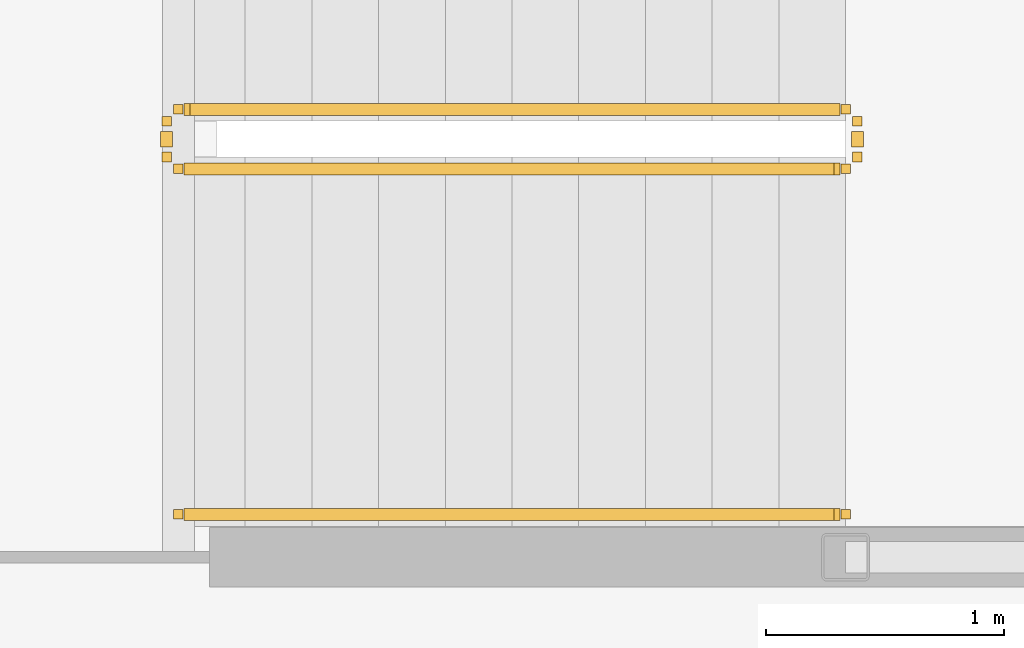
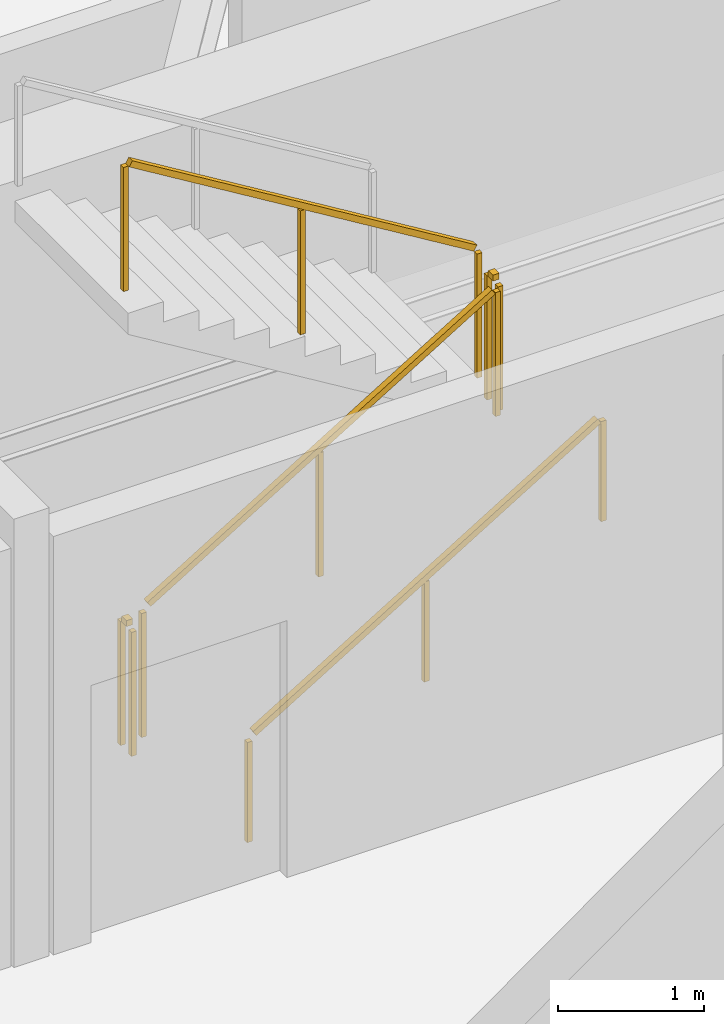
# One storey, part 20 of 21: 5 railings.
"""IFC4 building model written with IfcOpenShell, lengths in metres."""

import ifcopenshell
import ifcopenshell.guid

model = None  # the IFC model being written
_history = None  # IfcOwnerHistory: only IFC2X3 demands one
_inside = {}  # id of a spatial element -> (the spatial element, [elements in it])
_under = {}  # id of a project, library or spatial element -> (it, [spatial elements below it])
_declared = {}  # id of a project -> (the project, [libraries it declares])
_typed = {}  # id of a type object -> (the type object, [elements of that type])
_made_of = {}  # id of a material, layer set ... -> (it, [elements and type objects made of it])


def new_model(schema):
    """Start an empty IFC model of exactly this schema.

    Asked for "IFC4X3", IfcOpenShell would pick the latest addendum, in which some entities
    have other attributes; the version numbers below select the first issue.
    IFC2X3 requires an IfcOwnerHistory on every rooted entity: one is made here for all.
    """
    global model, _history
    if schema == "IFC4X3":
        model = ifcopenshell.file(schema_version=(4, 3, 0, 0))
    else:
        model = ifcopenshell.file(schema=schema)
    _inside.clear()
    _under.clear()
    _declared.clear()
    _typed.clear()
    _made_of.clear()
    _history = None
    if model.schema == "IFC2X3":
        org = make("IfcOrganization", Name="unknown")
        user = make(
            "IfcPersonAndOrganization",
            ThePerson=make("IfcPerson", FamilyName="unknown"),
            TheOrganization=org,
        )
        app = make(
            "IfcApplication",
            ApplicationDeveloper=org,
            Version="unknown",
            ApplicationFullName="unknown",
            ApplicationIdentifier="unknown",
        )
        _history = make(
            "IfcOwnerHistory",
            OwningUser=user,
            OwningApplication=app,
            ChangeAction="ADDED",
            CreationDate=0,
        )
    return model


def make(cls, **values):
    """One entity of the class cls with the attributes given. An attribute that is None is left unset."""
    return model.create_entity(
        cls, **{name: value for name, value in values.items() if value is not None}
    )


def rooted(cls, **values):
    """An entity with a GlobalId (a new one), such as an element, a storey or a relation."""
    return make(cls, GlobalId=ifcopenshell.guid.new(), OwnerHistory=_history, **values)


def si_unit(unit_type, name, prefix=None):
    """IfcSIUnit, for example si_unit("LENGTHUNIT", "METRE", prefix="MILLI")."""
    return make("IfcSIUnit", UnitType=unit_type, Prefix=prefix, Name=name)


def assignment(units):
    """IfcUnitAssignment: the units of a project."""
    return None if units is None else make("IfcUnitAssignment", Units=units)


def point(xyz):
    """IfcCartesianPoint."""
    return None if xyz is None else make("IfcCartesianPoint", Coordinates=xyz)


def direction(xyz):
    """IfcDirection."""
    return None if xyz is None else make("IfcDirection", DirectionRatios=xyz)


def frame(location, z_axis=None, x_axis=None):
    """IfcAxis2Placement3D, a coordinate frame: its origin and axes. An axis left out is left unset."""
    return make(
        "IfcAxis2Placement3D",
        Location=point(location),
        Axis=direction(z_axis),
        RefDirection=direction(x_axis),
    )


def frame_2d(location, x_axis=None):
    """IfcAxis2Placement2D, a coordinate frame in the plane: its origin and x axis."""
    return make(
        "IfcAxis2Placement2D", Location=point(location), RefDirection=direction(x_axis)
    )


def origin():
    """The frame at (0, 0, 0) with its axes left unset."""
    return frame((0.0, 0.0, 0.0))


def origin_2d():
    """The frame at (0, 0) in the plane with its x axis left unset."""
    return frame_2d((0.0, 0.0))


def place(relative_to, where):
    """IfcLocalPlacement: puts the frame where relative to a parent placement (None: the world)."""
    return make(
        "IfcLocalPlacement", PlacementRelTo=relative_to, RelativePlacement=where
    )


def context(
    kind, dimensions, precision=None, world=None, true_north=None, identifier=None
):
    """IfcGeometricRepresentationContext, for example the 3D "Model" context."""
    return make(
        "IfcGeometricRepresentationContext",
        ContextIdentifier=identifier,
        ContextType=kind,
        CoordinateSpaceDimension=dimensions,
        Precision=precision,
        WorldCoordinateSystem=world,
        TrueNorth=true_north,
    )


def subcontext(parent, identifier, kind, view, scale=None):
    """IfcGeometricRepresentationSubContext, for example "Body" below "Model"."""
    return make(
        "IfcGeometricRepresentationSubContext",
        ContextIdentifier=identifier,
        ContextType=kind,
        ParentContext=parent,
        TargetScale=scale,
        TargetView=view,
    )


def project(units=None, contexts=None):
    """IfcProject with its units and contexts."""
    return rooted(
        "IfcProject",
        Name="project",
        RepresentationContexts=contexts,
        UnitsInContext=assignment(units),
    )


def spatial(cls, under=None, at=None, **own):
    """A site, building, storey or space (cls), placed at a placement, below another one or the project."""
    s = rooted(cls, ObjectPlacement=at, **own)
    if under is not None:
        _under.setdefault(under.id(), (under, []))[1].append(s)
    return s


def profile(cls, at=None, kind="AREA", **sizes):
    """A parametric profile (cls). Its sizes go by their IFC names, for example OverallWidth=200.0."""
    return make(cls, ProfileType=kind, Position=at, **sizes)


def rectangle(**sizes):
    """IfcRectangleProfileDef."""
    return profile("IfcRectangleProfileDef", **sizes)


def extrude(swept, where, along, depth):
    """IfcExtrudedAreaSolid: the profile swept, set in the frame where, extruded along a direction by depth."""
    return make(
        "IfcExtrudedAreaSolid",
        SweptArea=swept,
        Position=where,
        ExtrudedDirection=direction(along),
        Depth=depth,
    )


def shape(context_of_items, identifier, shape_type, items):
    """IfcShapeRepresentation: the items that make up one representation, for example the "Body"."""
    return make(
        "IfcShapeRepresentation",
        ContextOfItems=context_of_items,
        RepresentationIdentifier=identifier,
        RepresentationType=shape_type,
        Items=items,
    )


def material(Name=None, Category=None):
    """IfcMaterial."""
    return make("IfcMaterial", Name=Name, Category=Category)


def made_of(thing, what):
    """Note that an element or type object is made of a material, layer set ...; save() writes the relation."""
    if what is not None:
        _made_of.setdefault(what.id(), (what, []))[1].append(thing)
    return thing


def type_object(cls, material=None, **own):
    """A type object (cls), such as IfcWallType, which elements share."""
    return made_of(rooted(cls, **own), material)


def element(
    cls,
    number,
    at=None,
    inside=None,
    cuts=None,
    type_object=None,
    material=None,
    context=None,
    identifier="Body",
    shape_type=None,
    held_by="IfcProductDefinitionShape",
    body=None,
    shapes=None,
    **own,
):
    """One element of the class cls, such as IfcWall. Its Tag is "e" and its number.

    at: its placement. inside: the storey or other place that contains it. cuts: it is an
    opening in that element (IfcRelVoidsElement). A single representation is given by context,
    identifier, shape_type and body (its items); several are given by shapes. held_by: the class
    of the entity that holds the representations. save() writes the other relations.
    """
    e = rooted(cls, Tag="e%d" % number, ObjectPlacement=at, **own)
    if body is not None:
        shapes = [shape(context, identifier, shape_type, body)]
    if shapes is not None:
        e.Representation = make(held_by, Representations=shapes)
    if inside is not None:
        _inside.setdefault(inside.id(), (inside, []))[1].append(e)
    if cuts is not None:
        rooted(
            "IfcRelVoidsElement", RelatingBuildingElement=cuts, RelatedOpeningElement=e
        )
    if type_object is not None:
        _typed.setdefault(type_object.id(), (type_object, []))[1].append(e)
    return made_of(e, material)


def aggregate(whole, parts):
    """IfcRelAggregates: a whole, such as a stair, and the parts it consists of."""
    return rooted("IfcRelAggregates", RelatingObject=whole, RelatedObjects=parts)


def save(model, path):
    """Write the relations noted so far, then the file.

    IfcRelAggregates (storeys below a building ...), IfcRelContainedInSpatialStructure (elements
    in a storey), IfcRelDefinesByType, IfcRelAssociatesMaterial and IfcRelDeclares: one each for
    every whole, place, type object, material and project.
    """
    for whole, parts in _under.values():
        aggregate(whole, parts)
    for where, things in _inside.values():
        rooted(
            "IfcRelContainedInSpatialStructure",
            RelatedElements=things,
            RelatingStructure=where,
        )
    for kind, things in _typed.values():
        rooted("IfcRelDefinesByType", RelatedObjects=things, RelatingType=kind)
    for what, things in _made_of.values():
        rooted("IfcRelAssociatesMaterial", RelatedObjects=things, RelatingMaterial=what)
    for by, libraries in _declared.values():
        rooted("IfcRelDeclares", RelatingContext=by, RelatedDefinitions=libraries)
    model.write(path)


model = new_model("IFC4")

# Units and contexts
model_context = context("Model", 3, precision=1e-05, world=origin(), true_north=direction((0.0, 1.0)))
body_context = subcontext(model_context, "Body", "Model", "MODEL_VIEW")
ifc_project = project(units=[si_unit("LENGTHUNIT", "METRE"), si_unit("AREAUNIT", "SQUARE_METRE"), si_unit("VOLUMEUNIT", "CUBIC_METRE"), si_unit("PLANEANGLEUNIT", "RADIAN"), si_unit("MASSUNIT", "GRAM", prefix="KILO")], contexts=[model_context])

# Site, building, storey
site_placement = place(None, origin())
site = spatial("IfcSite", under=ifc_project, at=site_placement, CompositionType="ELEMENT")
building_placement = place(site_placement, origin())
building = spatial("IfcBuilding", under=site, at=building_placement, Name="Kazma Halo Residences", CompositionType="ELEMENT")
storey_placement = place(building_placement, frame((0.0, 0.0, 191.550048828125)))
storey = spatial("IfcBuildingStorey", under=building, at=storey_placement, Name="L48", CompositionType="ELEMENT", Elevation=191.550048828125)

# Railings
ifc_material_1 = material(Name="Painted Steel S355", Category="steel")
railing_type_1 = type_object("IfcRailingType", Name="RLG-STAIR-GRD-1100", PredefinedType="GUARDRAIL", material=ifc_material_1)
railing_1_placement = place(storey_placement, frame((53.199951171875, 48.25, 0.17041015625)))
element("IfcRailing", 1, at=railing_1_placement, inside=storey, type_object=railing_type_1, Name="L48 ST-02 stair guard 1", PredefinedType="GUARDRAIL", context=body_context, shape_type="SweptSolid", body=[
    extrude(rectangle(XDim=0.050048828125, YDim=0.050048828125, at=origin_2d()), frame((0.036376953125, 0.0, 1.09716796875), z_axis=(0.854169791009, 0.0, 0.51999420009), x_axis=(0.0, 1.0, 0.0)), (0.0, 0.0, 1.0), 3.193115234375),
    extrude(rectangle(XDim=0.0400390625, YDim=0.0400390625, at=origin_2d()), origin(), (0.0, 0.0, 1.0), 1.0380859375),
    extrude(rectangle(XDim=0.0400390625, YDim=0.0400390625, at=origin_2d()), frame((1.39990234375, 0.0, 0.852294921875)), (0.0, 0.0, 1.0), 1.0380859375),
    extrude(rectangle(XDim=0.0400390625, YDim=0.0400390625, at=origin_2d()), frame((2.800048828125, 0.0, 1.70458984375)), (0.0, 0.0, 1.0), 1.0380859375),
])
railing_2_placement = place(storey_placement, frame((56.050048828125, 48.300048828125, 1.875)))
element("IfcRailing", 2, at=railing_2_placement, inside=storey, type_object=railing_type_1, Name="L48 ST-02 stair guard 2", PredefinedType="GUARDRAIL", context=body_context, shape_type="SweptSolid", body=[
    extrude(rectangle(XDim=0.050048828125, YDim=0.050048828125, at=origin_2d()), frame((0.0, 0.04248046875, 1.0751953125), z_axis=(0.0, 1.0, 0.0), x_axis=(-1.0, 0.0, 0.0)), (0.0, 0.0, 1.0), 0.06494140625),
    extrude(rectangle(XDim=0.0400390625, YDim=0.0400390625, at=origin_2d()), origin(), (0.0, 0.0, 1.0), 1.0380859375),
    extrude(rectangle(XDim=0.0400390625, YDim=0.0400390625, at=origin_2d()), frame((0.0, 0.14990234375, 0.0)), (0.0, 0.0, 1.0), 1.0380859375),
])
railing_3_placement = place(storey_placement, frame((56.0, 48.5, 2.04541015625)))
element("IfcRailing", 3, at=railing_3_placement, inside=storey, type_object=railing_type_1, Name="L48 ST-02 stair guard 3", PredefinedType="GUARDRAIL", context=body_context, shape_type="SweptSolid", body=[
    extrude(rectangle(XDim=0.050048828125, YDim=0.050048828125, at=origin_2d()), frame((-0.036376953125, 0.0, 1.09716796875), z_axis=(-0.854169791009, 0.0, 0.51999420009), x_axis=(0.0, -1.0, 0.0)), (0.0, 0.0, 1.0), 3.193115234375),
    extrude(rectangle(XDim=0.0400390625, YDim=0.0400390625, at=origin_2d()), origin(), (0.0, 0.0, 1.0), 1.0380859375),
    extrude(rectangle(XDim=0.0400390625, YDim=0.0400390625, at=origin_2d()), frame((-1.39990234375, 0.0, 0.852294921875)), (0.0, 0.0, 1.0), 1.0380859375),
    extrude(rectangle(XDim=0.0400390625, YDim=0.0400390625, at=origin_2d()), frame((-2.800048828125, 0.0, 1.70458984375)), (0.0, 0.0, 1.0), 1.0380859375),
])
railing_4_placement = place(storey_placement, frame((53.14990234375, 48.300048828125, 0.0)))
element("IfcRailing", 4, at=railing_4_placement, inside=storey, type_object=railing_type_1, Name="L48 ST-02 stair guard 4", PredefinedType="GUARDRAIL", context=body_context, shape_type="SweptSolid", body=[
    extrude(rectangle(XDim=0.050048828125, YDim=0.050048828125, at=origin_2d()), frame((0.0, 0.04248046875, 1.0751953125), z_axis=(0.0, 1.0, 0.0), x_axis=(-1.0, 0.0, 0.0)), (0.0, 0.0, 1.0), 0.06494140625),
    extrude(rectangle(XDim=0.0400390625, YDim=0.0400390625, at=origin_2d()), origin(), (0.0, 0.0, 1.0), 1.0380859375),
    extrude(rectangle(XDim=0.0400390625, YDim=0.0400390625, at=origin_2d()), frame((0.0, 0.14990234375, 0.0)), (0.0, 0.0, 1.0), 1.0380859375),
])
ifc_material_2 = material(Name="Brushed Stainless Steel", Category="steel")
railing_type_2 = type_object("IfcRailingType", Name="RLG-STAIR-HND-900", PredefinedType="HANDRAIL", material=ifc_material_2)
railing_5_placement = place(storey_placement, frame((53.199951171875, 46.800048828125, 0.17041015625)))
element("IfcRailing", 5, at=railing_5_placement, inside=storey, type_object=railing_type_2, Name="L48 ST-02 stair handrail 1", PredefinedType="HANDRAIL", context=body_context, shape_type="SweptSolid", body=[
    extrude(rectangle(XDim=0.050048828125, YDim=0.050048828125, at=origin_2d()), frame((0.036376953125, 0.0, 0.89697265625), z_axis=(0.854169791009, 0.0, 0.51999420009), x_axis=(0.0, 1.0, 0.0)), (0.0, 0.0, 1.0), 3.193115234375),
    extrude(rectangle(XDim=0.0400390625, YDim=0.0400390625, at=origin_2d()), origin(), (0.0, 0.0, 1.0), 0.837890625),
    extrude(rectangle(XDim=0.0400390625, YDim=0.0400390625, at=origin_2d()), frame((1.39990234375, 0.0, 0.852294921875)), (0.0, 0.0, 1.0), 0.837890625),
    extrude(rectangle(XDim=0.0400390625, YDim=0.0400390625, at=origin_2d()), frame((2.800048828125, 0.0, 1.70458984375)), (0.0, 0.0, 1.0), 0.837890625),
])

save(model, "model.ifc")
